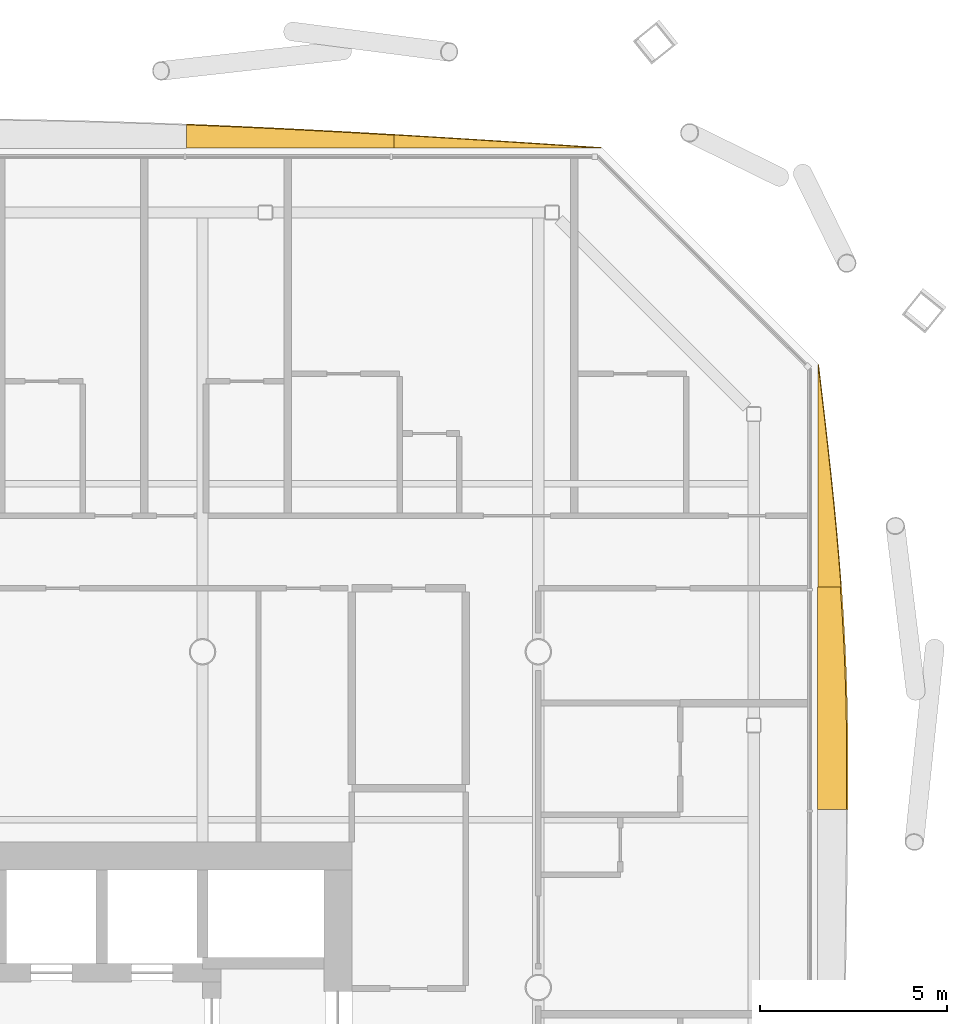
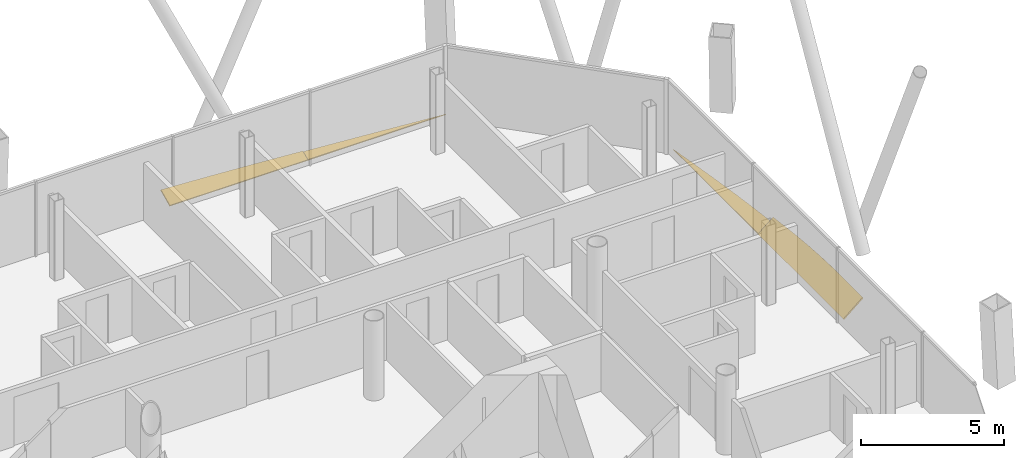
# One storey, part 23 of 23: 4 shading devices.
"""IFC4 building model written with IfcOpenShell, lengths in metres."""

from ifc_helpers import new_model, si_unit, direction, frame, origin, place, context, subcontext, project, spatial, polyline, outline, extrude, material, layer, layer_set, type_object, element, save


model = new_model("IFC4")

# Units and contexts
model_context = context("Model", 3, precision=1e-05, world=origin(), true_north=direction((0.0, 1.0)))
body_context = subcontext(model_context, "Body", "Model", "MODEL_VIEW")
ifc_project = project(units=[si_unit("LENGTHUNIT", "METRE"), si_unit("AREAUNIT", "SQUARE_METRE"), si_unit("VOLUMEUNIT", "CUBIC_METRE"), si_unit("PLANEANGLEUNIT", "RADIAN"), si_unit("MASSUNIT", "GRAM", prefix="KILO")], contexts=[model_context])

# Site, building, storey
site_placement = place(None, origin())
site = spatial("IfcSite", under=ifc_project, at=site_placement, CompositionType="ELEMENT")
building_placement = place(site_placement, origin())
building = spatial("IfcBuilding", under=site, at=building_placement, Name="Tskaro Facet Tower", CompositionType="ELEMENT")
storey_placement = place(building_placement, frame((0.0, 0.0, 141.89990234375)))
storey = spatial("IfcBuildingStorey", under=building, at=storey_placement, Name="L34", CompositionType="ELEMENT", Elevation=141.89990234375)

# Shading devices
ifc_material = material(Name="Bronze anodised aluminium 6063-T6", Category="aluminium")
ifc_layer = layer(ifc_material, 0.06005859375, Name="Bronze anodised aluminium 6063-T6")
ifc_layer_set = layer_set([ifc_layer], Name="Bronze anodised aluminium 6063-T6")
shading_device_type = type_object("IfcShadingDeviceType", Name="Bronze sun blade (FN1)", PredefinedType="USERDEFINED", material=ifc_layer_set)
shading_device_1_placement = place(storey_placement, frame((25.4833984375, 4.768310546875, 0.046142578125), z_axis=(-0.642735162468, -2.972063e-06, 0.766088448495), x_axis=(-1.910249e-06, 0.999999999996, 2.276863e-06)))
element("IfcShadingDevice", 1, at=shading_device_1_placement, inside=storey, type_object=shading_device_type, Name="Fin blade east 5", ObjectType="FIN", PredefinedType="USERDEFINED", context=body_context, shape_type="SweptSolid", body=[
    extrude(outline(polyline([(0.0, 0.0), (5.96386718747366, -1.262898000215335e-21), (5.963867187487904, -0.7976716864701476), (5.218261718835422, -0.8633473220898368), (4.472900390544132, -0.9181132099164058), (3.7275390628322707, -0.9612513322477141), (2.981933593873582, -0.9921039024783145), (2.2365722653844338, -1.0104838872955852), (1.5505371095473042, -1.016017220074283), (1.4909667964916926, -1.015860302310008), (0.745605468567838, -1.0146414157666952), (-5.167776646650752e-11, -1.0111717894493792), (0.0, 0.0)])), origin(), (0.0, 0.0, -1.0), 0.06005859375),
])
shading_device_2_placement = place(storey_placement, frame((25.50146484375, 10.732177734375, 0.056396484375), z_axis=(-0.342146977273, -1.6418951e-05, 0.939646447167), x_axis=(-5.617694e-06, 0.999999999865, 1.5428009e-05)))
element("IfcShadingDevice", 2, at=shading_device_2_placement, inside=storey, type_object=shading_device_type, Name="Fin blade east 6", ObjectType="FIN", PredefinedType="USERDEFINED", context=body_context, shape_type="SweptSolid", body=[
    extrude(outline(polyline([(0.0, 0.0), (5.963867186696125, 0.0), (5.218261719100548, -0.09329939663261455), (4.472900391454268, -0.1852846999568536), (3.727294922855269, -0.27518416038306875), (2.9819335914827194, -0.3613707467550787), (2.236328125339317, -0.44301036756608303), (1.4909667960946116, -0.5188512714248582), (0.7453613266131914, -0.5882052407186404), (-1.5070910999535943e-09, -0.6503005258577815), (0.0, 0.0)])), origin(), (0.0, 0.0, -1.0), 0.06005859375),
])
shading_device_3_placement = place(storey_placement, frame((19.696044921875, 22.50146484375, 0.056396484375), z_axis=(-3.8794053e-05, -0.342548643096, 0.939500093458), x_axis=(-0.999999999248, 1.328885e-05, -3.6447017e-05)))
element("IfcShadingDevice", 3, at=shading_device_3_placement, inside=storey, type_object=shading_device_type, Name="Fin blade north 1", ObjectType="FIN", PredefinedType="USERDEFINED", context=body_context, shape_type="SweptSolid", body=[
    extrude(outline(polyline([(0.0, 0.0), (5.565429683312074, 9.42820462187941e-21), (5.56542969168321, -0.37334340229235097), (4.869628905451986, -0.329478416169669), (4.174072264664582, -0.28452868940651616), (3.4782714791731646, -0.23857785204277385), (2.7827148423699146, -0.19177164417873782), (2.087158199077968, -0.14450669603434763), (1.3913574175707057, -0.096699377569722), (0.6958007790977611, -0.048349688784861), (0.0, 0.0)])), origin(), (0.0, 0.0, -1.0), 0.06005859375),
])
shading_device_4_placement = place(storey_placement, frame((14.130615234375, 22.49658203125, 0.054443359375), z_axis=(1.765802e-06, -0.422584127832, 0.906323703156), x_axis=(-0.999999999998, -7.462e-07, 1.600388e-06)))
element("IfcShadingDevice", 4, at=shading_device_4_placement, inside=storey, type_object=shading_device_type, Name="Fin blade north 2", ObjectType="FIN", PredefinedType="USERDEFINED", context=body_context, shape_type="SweptSolid", body=[
    extrude(outline(polyline([(0.0, 0.0), (5.565185546866324, 0.0), (5.565185546881353, -0.6909499305383621), (4.869628906499726, -0.6600358229606846), (4.173828124996922, -0.6268357021348585), (3.4782714844043796, -0.5915559079670515), (2.78271484370638, -0.5540932705041799), (2.0869140624864655, -0.5147722301346687), (1.3913574218124571, -0.4738140572938588), (0.6955566404343566, -0.4312187519817504), (-7.117776750741401e-12, -0.3870894841514275), (0.0, 0.0)])), origin(), (0.0, 0.0, -1.0), 0.06005859375),
])

save(model, "model.ifc")
